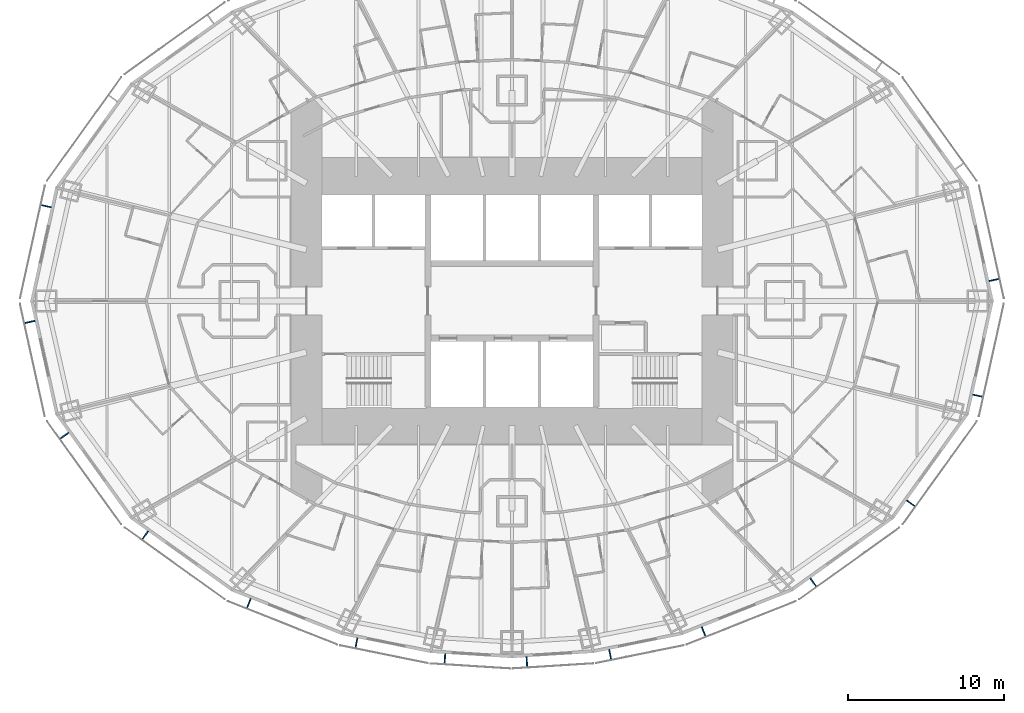
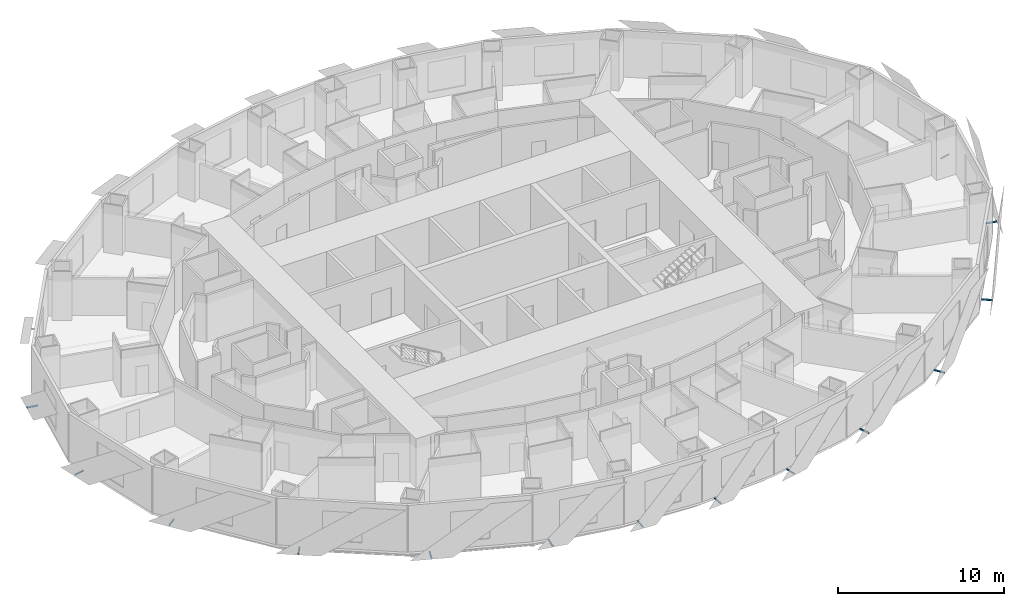
# One storey, part 12 of 17: 14 discrete accessories.
"""IFC4 building model written with IfcOpenShell, lengths in metres."""

from ifc_helpers import new_model, si_unit, direction, frame, origin, origin_2d, place, context, subcontext, project, spatial, rectangle, extrude, element, save


model = new_model("IFC4")

# Units and contexts
model_context = context("Model", 3, precision=1e-05, world=origin(), true_north=direction((0.0, 1.0)))
body_context = subcontext(model_context, "Body", "Model", "MODEL_VIEW")
ifc_project = project(units=[si_unit("LENGTHUNIT", "METRE"), si_unit("AREAUNIT", "SQUARE_METRE"), si_unit("VOLUMEUNIT", "CUBIC_METRE"), si_unit("PLANEANGLEUNIT", "RADIAN"), si_unit("MASSUNIT", "GRAM", prefix="KILO")], contexts=[model_context])

# Site, building, storey
site_placement = place(None, origin())
site = spatial("IfcSite", under=ifc_project, at=site_placement, CompositionType="ELEMENT")
building_placement = place(site_placement, origin())
building = spatial("IfcBuilding", under=site, at=building_placement, Name="Lantaw Convention Tower", CompositionType="ELEMENT")
storey_placement = place(building_placement, frame((0.0, 0.0, 37.0)))
storey = spatial("IfcBuildingStorey", under=building, at=storey_placement, Name="L06", CompositionType="ELEMENT", Elevation=37.0)

# Discrete accessories
for number, where, z_axis, x_axis, name in (
    (1, (30.967529296875, 1.35009765625, -0.114990234375), (0.0, 0.0, 1.0), (-0.215246056391, 0.976559847223, 0.0), "Screen bracket"),
    (2, (-29.92333984375, 6.087890625, -0.114990234375), (0.0, 0.0, 1.0), (-0.215246056391, -0.976559847223, 0.0), "Screen bracket"),
    (3, (-30.967529296875, -1.35009765625, -0.114990234375), (0.0, 0.0, 1.0), (0.215246056391, -0.976559847223, 0.0), "Screen bracket"),
    (4, (-28.745849609375, -8.65869140625, -0.114990234375), (0.0, 0.0, 1.0), (0.583951250436, -0.811788726895, 0.0), "Screen bracket"),
    (5, (-23.564453125, -15.06640625, -0.114990234375), (0.0, 0.0, 1.0), (0.812803733199, -0.5825376308, 0.0), "Screen bracket"),
    (6, (-16.898193359375, -19.4345703125, -0.114990234375), (0.0, 0.0, 1.0), (0.929361152748, -0.369171840425, 0.0), "Screen bracket"),
    (7, (-9.990478515625, -21.974365234375, -0.114990234375), (0.0, 0.0, 1.0), (0.980244604501, -0.197789067813, 0.0), "Screen bracket"),
    (8, (-4.310302734375, -22.987548828125, -0.114990234375), (0.0, 0.0, 1.0), (0.998016153807, -0.062958373078, 0.0), "Screen bracket"),
    (9, (0.9560546875, -23.19921875, -0.114990234375), (0.0, 0.0, 1.0), (0.998016153807, 0.062958373078, 0.0), "Screen bracket"),
    (10, (6.307861328125, -22.71728515625, -0.114990234375), (0.0, 0.0, 1.0), (0.980244604501, 0.197789067813, 0.0), "Screen bracket"),
    (11, (12.309814453125, -21.25732421875, -0.114990234375), (0.0, 0.0, 1.0), (0.929361152748, 0.369171840425, 0.0), "Screen bracket"),
    (12, (19.352294921875, -18.085205078125, -0.114990234375), (0.0, 0.0, 1.0), (0.812803733199, 0.5825376308, 0.0), "Screen bracket"),
    (13, (25.61962890625, -13.004638671875, -0.114990234375), (0.0, 0.0, 1.0), (0.583951250436, 0.811788726895, 0.0), "Screen bracket"),
    (14, (29.92333984375, -6.087890625, -0.114990234375), (0.0, 0.0, 1.0), (0.215246056391, 0.976559847223, 0.0), "Screen bracket"),
):
    element("IfcDiscreteAccessory", number, at=place(storey_placement, frame(where, z_axis=z_axis, x_axis=x_axis)), inside=storey, Name=name, PredefinedType="BRACKET", context=body_context, shape_type="SweptSolid", body=[
        extrude(rectangle(XDim=0.080078125, YDim=0.68798828125, at=origin_2d()), origin(), (0.0, 0.0, 1.0), 0.080078125),
    ])

save(model, "model.ifc")
